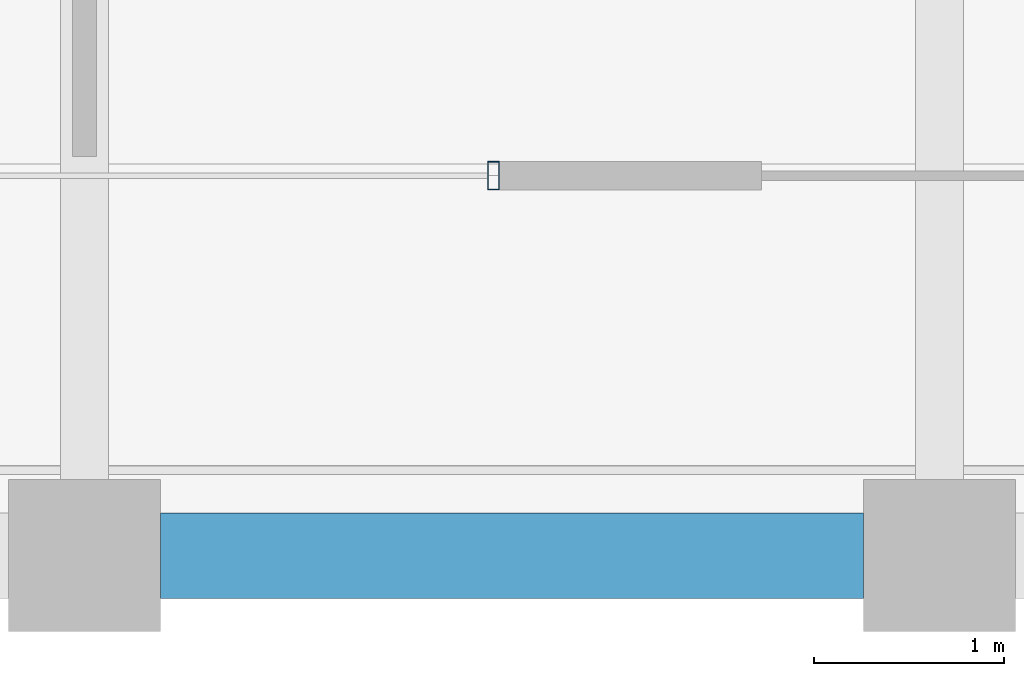
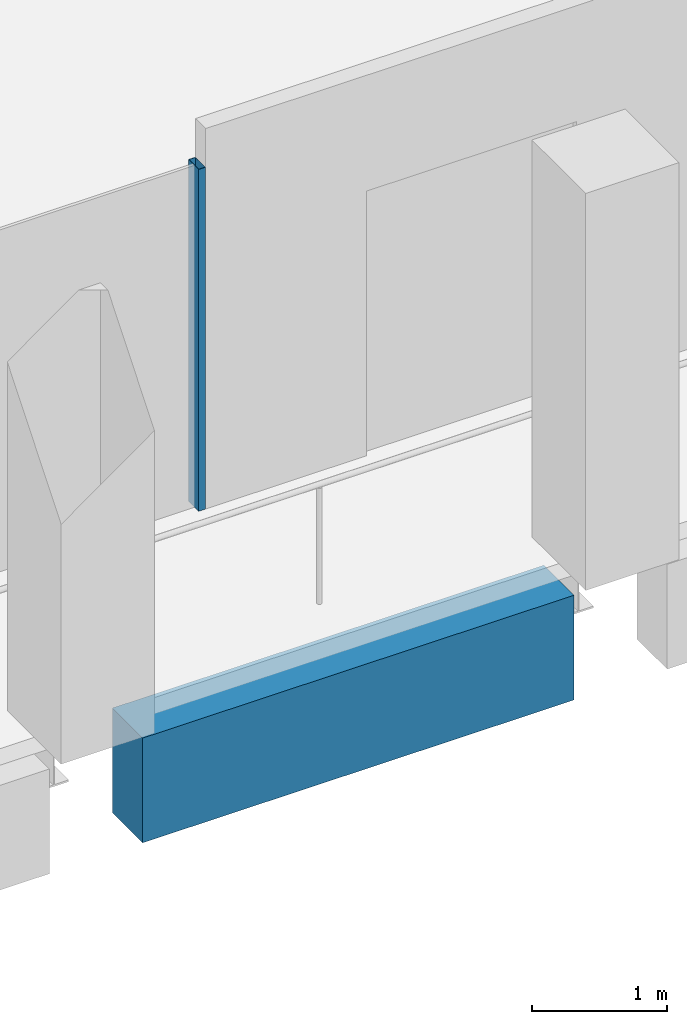
# One storey, part 7 of 30: 1 beam, 1 member, 1 element without a shape of its own.
"""IFC4 building model written with IfcOpenShell, lengths in metres."""

from ifc_helpers import new_model, si_unit, direction, frame, origin, origin_2d, place, context, subcontext, project, spatial, rectangle, hollow_rectangle, extrude, material, material_profile, profile_set, type_object, element, aggregate, save


model = new_model("IFC4")

# Units and contexts
model_context = context("Model", 3, precision=1e-05, world=origin(), true_north=direction((0.0, 1.0)))
body_context = subcontext(model_context, "Body", "Model", "MODEL_VIEW")
ifc_project = project(units=[si_unit("LENGTHUNIT", "METRE"), si_unit("AREAUNIT", "SQUARE_METRE"), si_unit("VOLUMEUNIT", "CUBIC_METRE"), si_unit("PLANEANGLEUNIT", "RADIAN"), si_unit("MASSUNIT", "GRAM", prefix="KILO")], contexts=[model_context])

# Site, building, storey
site_placement = place(None, origin())
site = spatial("IfcSite", under=ifc_project, at=site_placement, CompositionType="ELEMENT")
building_placement = place(site_placement, origin())
building = spatial("IfcBuilding", under=site, at=building_placement, Name="Altepetl Exchange Towers", CompositionType="ELEMENT")
storey_placement = place(building_placement, frame((0.0, 0.0, 228.0)))
storey = spatial("IfcBuildingStorey", under=building, at=storey_placement, Name="L58", CompositionType="ELEMENT", Elevation=228.0)

# Curtain wall, member
ifc_material_1 = material(Name="Aluminium 6063-T6 glazing", Category="aluminium")
curtain_wall_type = type_object("IfcCurtainWallType", Name="Loggia glazing system", PredefinedType="NOTDEFINED", material=ifc_material_1)
curtain_wall_placement = place(storey_placement, origin())
curtain_wall = element("IfcCurtainWall", 1, at=curtain_wall_placement, inside=storey, type_object=curtain_wall_type, Name="CW1 run", PredefinedType="NOTDEFINED")
ifc_material_2 = material(Name="Aluminium 6063-T6", Category="aluminium")
ifc_material_profile_1 = material_profile(ifc_material_2, hollow_rectangle(XDim=0.06005859375, YDim=0.14990234375, WallThickness=0.0029296875, at=origin_2d()), Name="Mullion 60x150 aluminium")
ifc_profile_set_1 = profile_set([ifc_material_profile_1], Name="Aluminium 6063-T6")
member_type = type_object("IfcMemberType", Name="Mullion 60x150 aluminium", PredefinedType="MULLION", material=ifc_profile_set_1)
member_placement = place(storey_placement, frame((47.152099609375, 29.0, 0.0)))
member = element("IfcMember", 2, at=member_placement, type_object=member_type, Name="MU1 mullion", PredefinedType="MULLION", context=body_context, shape_type="SweptSolid", body=[
    extrude(hollow_rectangle(XDim=0.06005859375, YDim=0.14990234375, WallThickness=0.0029296875, at=origin_2d()), origin(), (0.0, 0.0, 1.0), 3.10009765625),
])
aggregate(curtain_wall, [member])

# Beam
ifc_material_3 = material(Name="Concrete C50/60 precast with cantera blanca facing", Category="concrete")
ifc_material_profile_2 = material_profile(ifc_material_3, rectangle(XDim=0.449951171875, YDim=0.949951171875, at=origin_2d()), Name="450 x 950")
ifc_profile_set_2 = profile_set([ifc_material_profile_2], Name="Concrete C50/60 precast with cantera blanca facing")
beam_type = type_object("IfcBeamType", Name="Spandrel beam 450x950 cantera blanca", PredefinedType="SPANDREL", material=ifc_profile_set_2)
beam_placement = place(storey_placement, frame((45.39990234375, 27.0, -0.625), z_axis=(1.0, 0.0, 0.0), x_axis=(0.0, 1.0, 0.0)))
element("IfcBeam", 3, at=beam_placement, inside=storey, type_object=beam_type, Name="sp:A:L58:003", PredefinedType="SPANDREL", context=body_context, shape_type="SweptSolid", body=[
    extrude(rectangle(XDim=0.449951171875, YDim=0.949951171875, at=origin_2d()), origin(), (0.0, 0.0, 1.0), 3.7001953125),
])

save(model, "model.ifc")
